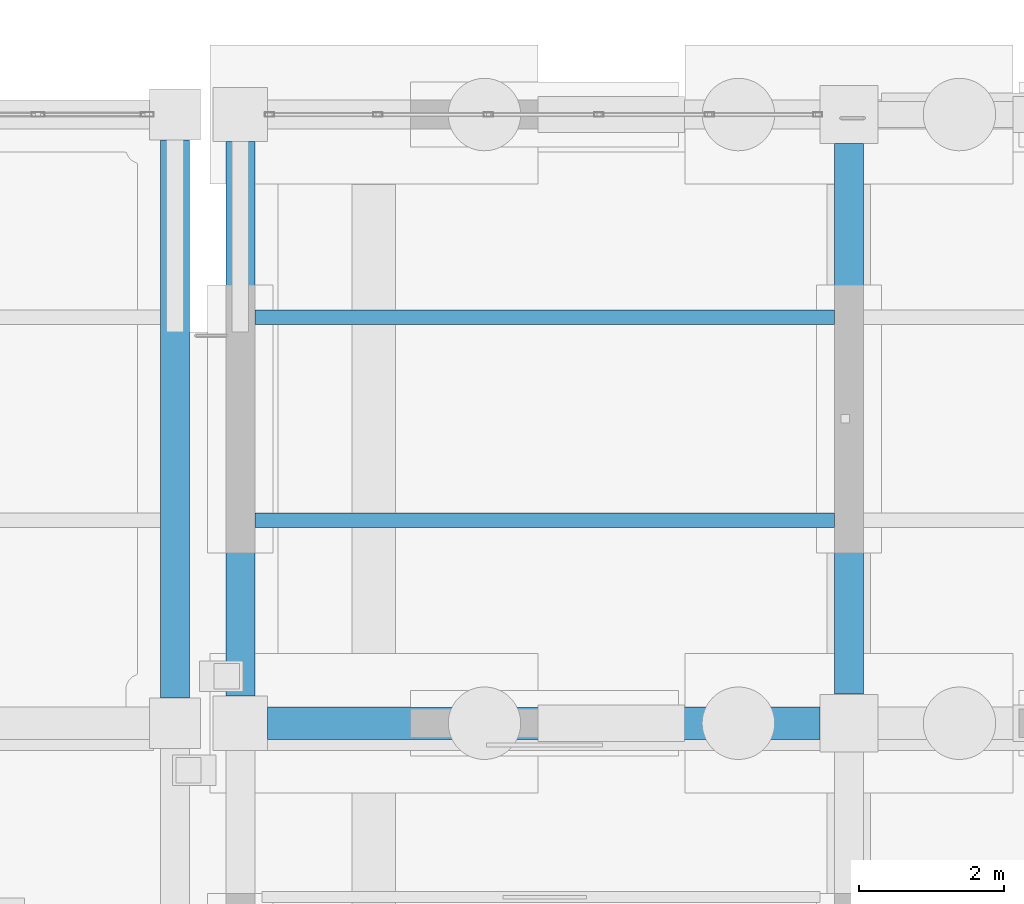
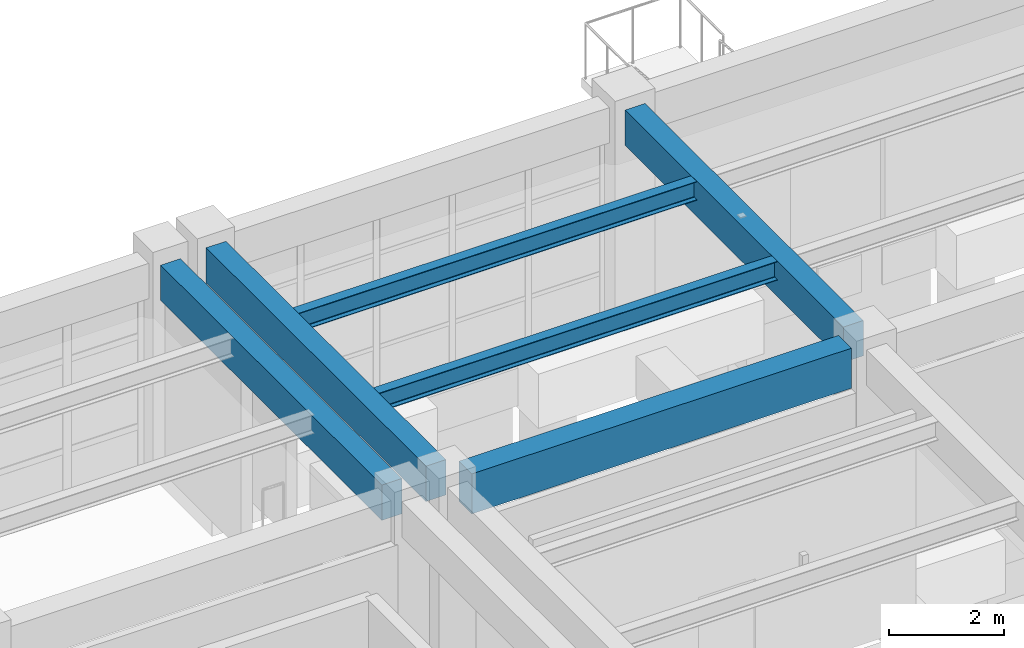
# One storey, part 24 of 111: 6 beams.
"""IFC4 building model written with IfcOpenShell, lengths in metres."""

from ifc_helpers import new_model, si_unit, direction, frame, origin, origin_2d, place, context, subcontext, project, spatial, rectangle, i_section, extrude, material, material_profile, profile_set, type_object, element, save


model = new_model("IFC4")

# Units and contexts
model_context = context("Model", 3, precision=1e-05, world=origin(), true_north=direction((0.0, 1.0)))
body_context = subcontext(model_context, "Body", "Model", "MODEL_VIEW")
ifc_project = project(units=[si_unit("LENGTHUNIT", "METRE"), si_unit("AREAUNIT", "SQUARE_METRE"), si_unit("VOLUMEUNIT", "CUBIC_METRE"), si_unit("PLANEANGLEUNIT", "RADIAN"), si_unit("MASSUNIT", "GRAM", prefix="KILO")], contexts=[model_context])

# Site, building, storey
site_placement = place(None, origin())
site = spatial("IfcSite", under=ifc_project, at=site_placement, CompositionType="ELEMENT")
building_placement = place(site_placement, origin())
building = spatial("IfcBuilding", under=site, at=building_placement, Name="Canglan Escarpment Cableway Terminal", CompositionType="ELEMENT")
storey_placement = place(building_placement, frame((0.0, 0.0, 4.800048828125)))
storey = spatial("IfcBuildingStorey", under=building, at=storey_placement, Name="L01", CompositionType="ELEMENT", Elevation=4.800048828125)

# Beams
ifc_material_1 = material(Name="Concrete C40", Category="concrete")
ifc_material_profile_1 = material_profile(ifc_material_1, rectangle(XDim=0.39990234375, YDim=0.75, at=origin_2d()), Name="RC 400x750")
ifc_profile_set_1 = profile_set([ifc_material_profile_1], Name="Concrete C40")
beam_type_1 = type_object("IfcBeamType", Name="BM-RC400x750", PredefinedType="BEAM", material=ifc_profile_set_1)
beam_1_placement = place(storey_placement, frame((76.10009765625, 16.75, 4.10498046875), z_axis=(0.0, 1.0, 0.0), x_axis=(-1.0, 0.0, 0.0)))
element("IfcBeam", 1, at=beam_1_placement, inside=storey, type_object=beam_type_1, Name="Primary transverse girder B-03", PredefinedType="BEAM", context=body_context, shape_type="SweptSolid", body=[
    extrude(rectangle(XDim=0.39990234375, YDim=0.75, at=origin_2d()), origin(), (0.0, 0.0, 1.0), 7.699951171875),
])
beam_2_placement = place(storey_placement, frame((77.0, 16.77490234375, 4.175048828125), z_axis=(0.0, 1.0, 0.0), x_axis=(-1.0, 0.0, 0.0)))
element("IfcBeam", 2, at=beam_2_placement, inside=storey, type_object=beam_type_1, Name="Primary transverse girder B-03", PredefinedType="BEAM", context=body_context, shape_type="SweptSolid", body=[
    extrude(rectangle(XDim=0.39990234375, YDim=0.75, at=origin_2d()), origin(), (0.0, 0.0, 1.0), 7.650146484375),
])
beam_3_placement = place(storey_placement, frame((85.39990234375, 16.800048828125, 4.175048828125), z_axis=(0.0, 1.0, 0.0), x_axis=(-1.0, 0.0, 0.0)))
element("IfcBeam", 3, at=beam_3_placement, inside=storey, type_object=beam_type_1, Name="Primary transverse girder B-03", PredefinedType="BEAM", context=body_context, shape_type="SweptSolid", body=[
    extrude(rectangle(XDim=0.39990234375, YDim=0.75, at=origin_2d()), origin(), (0.0, 0.0, 1.0), 7.599853515625),
])
ifc_material_profile_2 = material_profile(ifc_material_1, rectangle(XDim=0.449951171875, YDim=0.85009765625, at=origin_2d()), Name="RC 450x850")
ifc_profile_set_2 = profile_set([ifc_material_profile_2], Name="Concrete C40")
beam_type_2 = type_object("IfcBeamType", Name="BM-RC450x850", PredefinedType="BEAM", material=ifc_profile_set_2)
beam_4_placement = place(storey_placement, frame((77.375, 16.39990234375, 4.125), z_axis=(1.0, 0.0, 0.0), x_axis=(0.0, 1.0, 0.0)))
element("IfcBeam", 4, at=beam_4_placement, inside=storey, type_object=beam_type_2, Name="Primary structural girder B-02", PredefinedType="BEAM", context=body_context, shape_type="SweptSolid", body=[
    extrude(rectangle(XDim=0.449951171875, YDim=0.85009765625, at=origin_2d()), origin(), (0.0, 0.0, 1.0), 7.625),
])
ifc_material_2 = material(Name="Steel Q355B", Category="steel")
ifc_material_profile_3 = material_profile(ifc_material_2, i_section(OverallWidth=0.199951171875, OverallDepth=0.39990234375, WebThickness=0.008056640625, FlangeThickness=0.012939453125, FilletRadius=0.01611328125, at=origin_2d()), Name="HN 400x200x8x13")
ifc_profile_set_3 = profile_set([ifc_material_profile_3], Name="Steel Q355B")
beam_type_3 = type_object("IfcBeamType", Name="JS-HN400", PredefinedType="JOIST", material=ifc_profile_set_3)
for number, where, z_axis, x_axis, name in (
    (5, (77.199951171875, 19.199951171875, 4.349853515625), (1.0, 0.0, 0.0), (0.0, 1.0, 0.0), "Secondary composite deck joist J-03"),
    (6, (77.199951171875, 22.0, 4.349853515625), (1.0, 0.0, 0.0), (0.0, 1.0, 0.0), "Secondary composite deck joist J-03"),
):
    element("IfcBeam", number, at=place(storey_placement, frame(where, z_axis=z_axis, x_axis=x_axis)), inside=storey, type_object=beam_type_3, Name=name, PredefinedType="JOIST", context=body_context, shape_type="SweptSolid", body=[
        extrude(i_section(OverallWidth=0.199951171875, OverallDepth=0.39990234375, WebThickness=0.008056640625, FlangeThickness=0.012939453125, FilletRadius=0.01611328125, at=origin_2d()), origin(), (0.0, 0.0, 1.0), 8.0),
    ])

save(model, "model.ifc")
